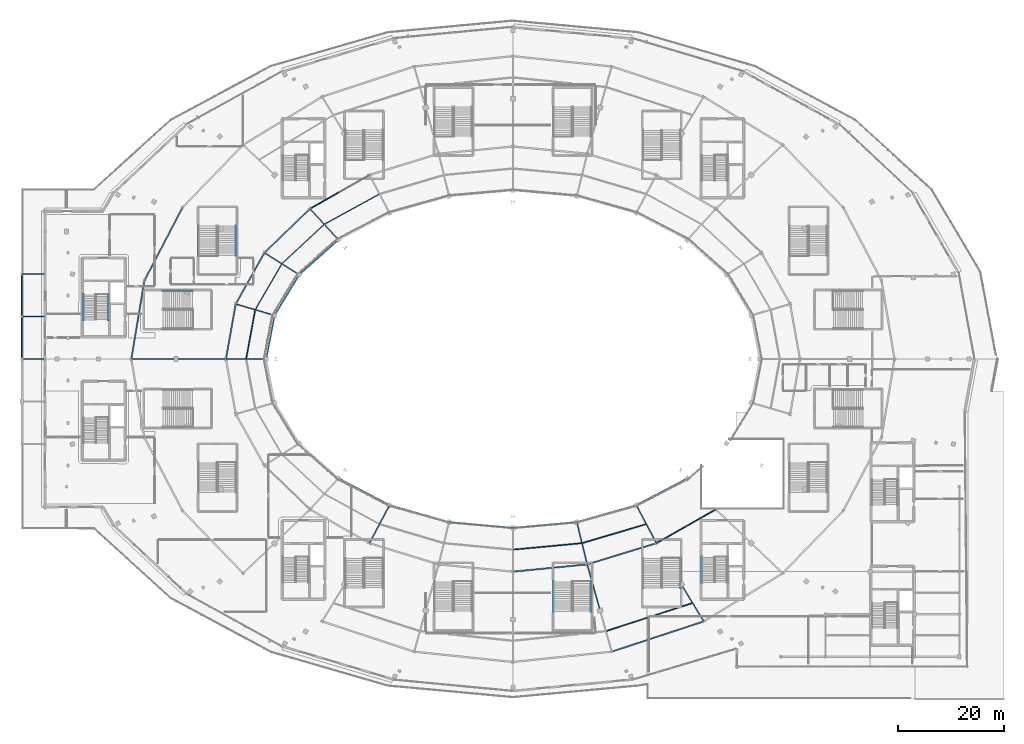
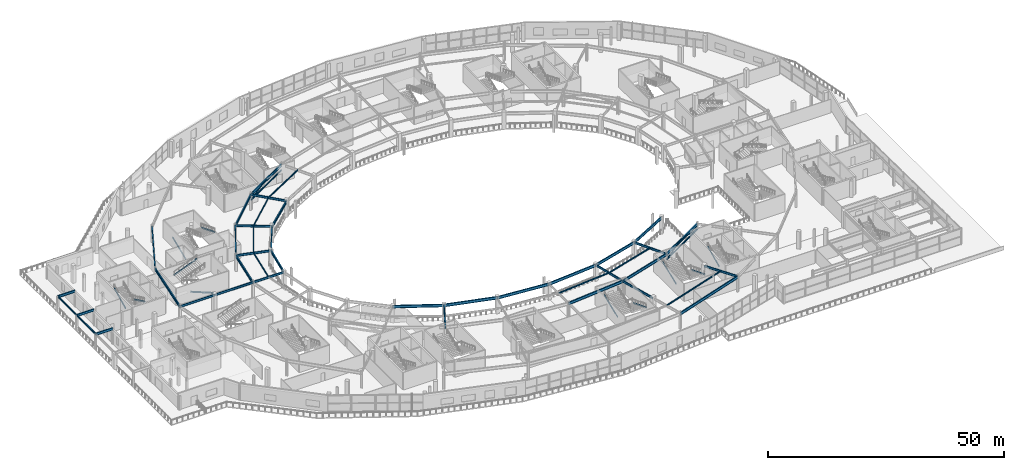
# One storey, part 27 of 107: 44 beams, 14 members.
"""IFC4 building model written with IfcOpenShell, lengths in metres."""

from ifc_helpers import new_model, si_unit, direction, frame, origin, origin_2d, place, context, subcontext, project, spatial, hollow_circle, i_section, extrude, material, material_profile, profile_set, type_object, element, save


model = new_model("IFC4")

# Units and contexts
model_context = context("Model", 3, precision=1e-05, world=origin(), true_north=direction((0.0, 1.0)))
body_context = subcontext(model_context, "Body", "Model", "MODEL_VIEW")
ifc_project = project(units=[si_unit("LENGTHUNIT", "METRE"), si_unit("AREAUNIT", "SQUARE_METRE"), si_unit("VOLUMEUNIT", "CUBIC_METRE"), si_unit("PLANEANGLEUNIT", "RADIAN"), si_unit("MASSUNIT", "GRAM", prefix="KILO")], contexts=[model_context])

# Site, building, storey
site_placement = place(None, origin())
site = spatial("IfcSite", under=ifc_project, at=site_placement, CompositionType="ELEMENT")
building_placement = place(site_placement, origin())
building = spatial("IfcBuilding", under=site, at=building_placement, Name="Kalgoora Escarpment Arena", CompositionType="ELEMENT")
storey_placement = place(building_placement, frame((0.0, 0.0, 5.39990234375)))
storey = spatial("IfcBuildingStorey", under=building, at=storey_placement, Name="L01", CompositionType="ELEMENT", Elevation=5.39990234375)

# Beams
ifc_material_1 = material(Name="Structural steel AS/NZS 3679 (300 MPa)", Category="steel")
ifc_material_profile_1 = material_profile(ifc_material_1, i_section(OverallWidth=0.1708984375, OverallDepth=0.35205078125, WebThickness=0.0068359375, FlangeThickness=0.009765625, at=origin_2d()))
ifc_profile_set_1 = profile_set([ifc_material_profile_1], Name="Structural steel AS/NZS 3679 (300 MPa)")
beam_type_1 = type_object("IfcBeamType", Name="BM-BEAM-360UB44.7", PredefinedType="BEAM", material=ifc_profile_set_1)
beam_1_placement = place(storey_placement, frame((67.297607421875, 95.0556640625, 4.05419921875), z_axis=(-0.87693223227, -0.480614044744, 0.0), x_axis=(0.480614044744, -0.87693223227, 0.0)))
element("IfcBeam", 1, at=beam_1_placement, inside=storey, type_object=beam_type_1, Name="L01 Concourse secondary ring beam 360UB44.7", PredefinedType="BEAM", context=body_context, shape_type="SweptSolid", body=[
    extrude(i_section(OverallWidth=0.1708984375, OverallDepth=0.35205078125, WebThickness=0.0068359375, FlangeThickness=0.009765625, at=origin_2d()), origin(), (0.0, 0.0, 1.0), 11.857177734375),
])
beam_2_placement = place(storey_placement, frame((56.899658203125, 89.35693359375, 4.05419921875), z_axis=(-0.731952134081, -0.681356054801, 0.0), x_axis=(0.681356054801, -0.731952134081, 0.0)))
element("IfcBeam", 2, at=beam_2_placement, inside=storey, type_object=beam_type_1, Name="L01 Concourse secondary ring beam 360UB44.7", PredefinedType="BEAM", context=body_context, shape_type="SweptSolid", body=[
    extrude(i_section(OverallWidth=0.1708984375, OverallDepth=0.35205078125, WebThickness=0.0068359375, FlangeThickness=0.009765625, at=origin_2d()), origin(), (0.0, 0.0, 1.0), 10.900390625),
])
beam_3_placement = place(storey_placement, frame((48.921142578125, 81.929931640625, 4.05419921875), z_axis=(-0.501654133754, -0.865068280593, 0.0), x_axis=(0.865068280593, -0.501654133754, 0.0)))
element("IfcBeam", 3, at=beam_3_placement, inside=storey, type_object=beam_type_1, Name="L01 Concourse secondary ring beam 360UB44.7", PredefinedType="BEAM", context=body_context, shape_type="SweptSolid", body=[
    extrude(i_section(OverallWidth=0.1708984375, OverallDepth=0.35205078125, WebThickness=0.0068359375, FlangeThickness=0.009765625, at=origin_2d()), origin(), (0.0, 0.0, 1.0), 9.997802734375),
])
beam_4_placement = place(storey_placement, frame((43.90576171875, 73.28125, 4.05419921875), z_axis=(-0.181263825147, -0.983434505035, 0.0), x_axis=(0.983434505035, -0.181263825147, 0.0)))
element("IfcBeam", 4, at=beam_4_placement, inside=storey, type_object=beam_type_1, Name="L01 Concourse secondary ring beam 360UB44.7", PredefinedType="BEAM", context=body_context, shape_type="SweptSolid", body=[
    extrude(i_section(OverallWidth=0.1708984375, OverallDepth=0.35205078125, WebThickness=0.0068359375, FlangeThickness=0.009765625, at=origin_2d()), origin(), (0.0, 0.0, 1.0), 9.4375),
])
beam_5_placement = place(storey_placement, frame((92.39990234375, 28.139892578125, 4.024169921875), z_axis=(0.995605931387, 0.093642027892, 0.0), x_axis=(-0.093642027892, 0.995605931387, 0.0)))
element("IfcBeam", 5, at=beam_5_placement, inside=storey, type_object=beam_type_1, Name="L01 Concourse secondary ring beam 360UB44.7", PredefinedType="BEAM", context=body_context, shape_type="SweptSolid", body=[
    extrude(i_section(OverallWidth=0.1708984375, OverallDepth=0.35205078125, WebThickness=0.0068359375, FlangeThickness=0.009765625, at=origin_2d()), origin(), (0.0, 0.0, 1.0), 13.051513671875),
])
beam_6_placement = place(storey_placement, frame((105.39404296875, 29.362060546875, 4.024169921875), z_axis=(0.958914478104, 0.283695300775, 0.0), x_axis=(-0.283695300775, 0.958914478104, 0.0)))
element("IfcBeam", 6, at=beam_6_placement, inside=storey, type_object=beam_type_1, Name="L01 Concourse secondary ring beam 360UB44.7", PredefinedType="BEAM", context=body_context, shape_type="SweptSolid", body=[
    extrude(i_section(OverallWidth=0.1708984375, OverallDepth=0.35205078125, WebThickness=0.0068359375, FlangeThickness=0.009765625, at=origin_2d()), origin(), (0.0, 0.0, 1.0), 12.627197265625),
])
beam_7_placement = place(storey_placement, frame((109.896240234375, 12.805908203125, 4.024169921875), z_axis=(0.951103123122, 0.308873516489, 0.0), x_axis=(-0.308873516489, 0.951103123122, 0.0)))
element("IfcBeam", 7, at=beam_7_placement, inside=storey, type_object=beam_type_1, Name="L01 Concourse secondary ring beam 360UB44.7", PredefinedType="BEAM", context=body_context, shape_type="SweptSolid", body=[
    extrude(i_section(OverallWidth=0.1708984375, OverallDepth=0.35205078125, WebThickness=0.0068359375, FlangeThickness=0.009765625, at=origin_2d()), origin(), (0.0, 0.0, 1.0), 17.141845703125),
])
beam_8_placement = place(storey_placement, frame((65.39990234375, 98.64111328125, 2.524169921875), z_axis=(-0.869369098708, -0.494163303182, 0.0), x_axis=(0.494163303182, -0.869369098708, 0.0)))
element("IfcBeam", 8, at=beam_8_placement, inside=storey, type_object=beam_type_1, Name="L01 Portal brace collector beam 360UB44.7", PredefinedType="BEAM", context=body_context, shape_type="SweptSolid", body=[
    extrude(i_section(OverallWidth=0.1708984375, OverallDepth=0.35205078125, WebThickness=0.0068359375, FlangeThickness=0.009765625, at=origin_2d()), origin(), (0.0, 0.0, 1.0), 12.864013671875),
])
beam_9_placement = place(storey_placement, frame((119.39990234375, 29.35888671875, 2.524169921875), z_axis=(0.869373733104, 0.494155149917, 0.0), x_axis=(-0.494155149917, 0.869373733104, 0.0)))
element("IfcBeam", 9, at=beam_9_placement, inside=storey, type_object=beam_type_1, Name="L01 Portal brace collector beam 360UB44.7", PredefinedType="BEAM", context=body_context, shape_type="SweptSolid", body=[
    extrude(i_section(OverallWidth=0.1708984375, OverallDepth=0.35205078125, WebThickness=0.0068359375, FlangeThickness=0.009765625, at=origin_2d()), origin(), (0.0, 0.0, 1.0), 12.8642578125),
])
ifc_material_2 = material(Name="Structural steel AS/NZS 3679 (300 MPa)", Category="steel")
ifc_material_profile_2 = material_profile(ifc_material_2, i_section(OverallWidth=0.208984375, OverallDepth=0.532958984375, WebThickness=0.01025390625, FlangeThickness=0.015625, at=origin_2d()))
ifc_profile_set_2 = profile_set([ifc_material_profile_2], Name="Structural steel AS/NZS 3679 (300 MPa)")
beam_type_2 = type_object("IfcBeamType", Name="BM-GIRDER-530UB92.4", PredefinedType="USERDEFINED", material=ifc_profile_set_2)
beam_10_placement = place(storey_placement, frame((59.583251953125, 86.429443359375, 3.963623046875), z_axis=(-0.675731588221, 0.737147760412, 0.0), x_axis=(-0.737147760412, -0.675731588221, 0.0)))
element("IfcBeam", 10, at=beam_10_placement, inside=storey, type_object=beam_type_2, Name="L01 Radial concourse girder 530UB92.4", ObjectType="GIRDER", PredefinedType="USERDEFINED", context=body_context, shape_type="SweptSolid", body=[
    extrude(i_section(OverallWidth=0.208984375, OverallDepth=0.532958984375, WebThickness=0.01025390625, FlangeThickness=0.015625, at=origin_2d()), origin(), (0.0, 0.0, 1.0), 7.9423828125),
])
beam_11_placement = place(storey_placement, frame((52.207763671875, 79.860107421875, 3.963623046875), z_axis=(-0.846164080711, 0.532922460133, 0.0), x_axis=(-0.532922460133, -0.846164080711, 0.0)))
element("IfcBeam", 11, at=beam_11_placement, inside=storey, type_object=beam_type_2, Name="L01 Radial concourse girder 530UB92.4", ObjectType="GIRDER", PredefinedType="USERDEFINED", context=body_context, shape_type="SweptSolid", body=[
    extrude(i_section(OverallWidth=0.208984375, OverallDepth=0.532958984375, WebThickness=0.01025390625, FlangeThickness=0.015625, at=origin_2d()), origin(), (0.0, 0.0, 1.0), 7.768310546875),
])
beam_12_placement = place(storey_placement, frame((47.5712890625, 72.209716796875, 3.963623046875), z_axis=(-0.959831929539, 0.280575599504, 0.0), x_axis=(-0.280575599504, -0.959831929539, 0.0)))
element("IfcBeam", 12, at=beam_12_placement, inside=storey, type_object=beam_type_2, Name="L01 Radial concourse girder 530UB92.4", ObjectType="GIRDER", PredefinedType="USERDEFINED", context=body_context, shape_type="SweptSolid", body=[
    extrude(i_section(OverallWidth=0.208984375, OverallDepth=0.532958984375, WebThickness=0.01025390625, FlangeThickness=0.015625, at=origin_2d()), origin(), (0.0, 0.0, 1.0), 7.63818359375),
])
beam_13_placement = place(storey_placement, frame((45.989990234375, 64.0, 3.963623046875), z_axis=(-1.0, 0.0, 0.0), x_axis=(0.0, -1.0, 0.0)))
element("IfcBeam", 13, at=beam_13_placement, inside=storey, type_object=beam_type_2, Name="L01 Radial concourse girder 530UB92.4", ObjectType="GIRDER", PredefinedType="USERDEFINED", context=body_context, shape_type="SweptSolid", body=[
    extrude(i_section(OverallWidth=0.208984375, OverallDepth=0.532958984375, WebThickness=0.01025390625, FlangeThickness=0.015625, at=origin_2d()), origin(), (0.0, 0.0, 1.0), 7.590087890625),
])
beam_14_placement = place(storey_placement, frame((38.39990234375, 64.0, 3.963623046875), z_axis=(-1.0, 0.0, 0.0), x_axis=(0.0, -1.0, 0.0)))
element("IfcBeam", 14, at=beam_14_placement, inside=storey, type_object=beam_type_2, Name="L01 Radial concourse girder 530UB92.4", ObjectType="GIRDER", PredefinedType="USERDEFINED", context=body_context, shape_type="SweptSolid", body=[
    extrude(i_section(OverallWidth=0.208984375, OverallDepth=0.532958984375, WebThickness=0.01025390625, FlangeThickness=0.015625, at=origin_2d()), origin(), (0.0, 0.0, 1.0), 9.39990234375),
])
beam_15_placement = place(storey_placement, frame((29.0, 64.0, 3.963623046875), z_axis=(-1.0, 0.0, 0.0), x_axis=(0.0, -1.0, 0.0)))
element("IfcBeam", 15, at=beam_15_placement, inside=storey, type_object=beam_type_2, Name="L01 Radial concourse girder 530UB92.4", ObjectType="GIRDER", PredefinedType="USERDEFINED", context=body_context, shape_type="SweptSolid", body=[
    extrude(i_section(OverallWidth=0.208984375, OverallDepth=0.532958984375, WebThickness=0.01025390625, FlangeThickness=0.015625, at=origin_2d()), origin(), (0.0, 0.0, 1.0), 8.39990234375),
])
beam_16_placement = place(storey_placement, frame((69.195068359375, 36.52978515625, 3.9736328125), z_axis=(-0.467772961987, -0.883848661273, 0.0), x_axis=(0.883848661273, -0.467772961987, 0.0)))
element("IfcBeam", 16, at=beam_16_placement, inside=storey, type_object=beam_type_2, Name="L01 Radial concourse girder 530UB92.4", ObjectType="GIRDER", PredefinedType="USERDEFINED", context=body_context, shape_type="SweptSolid", body=[
    extrude(i_section(OverallWidth=0.208984375, OverallDepth=0.532958984375, WebThickness=0.01025390625, FlangeThickness=0.015625, at=origin_2d()), origin(), (0.0, 0.0, 1.0), 8.11328125),
])
beam_17_placement = place(storey_placement, frame((104.411865234375, 33.36083984375, 3.93359375), z_axis=(0.238522773309, -0.971136904156, 0.0), x_axis=(0.971136904156, 0.238522773309, 0.0)))
element("IfcBeam", 17, at=beam_17_placement, inside=storey, type_object=beam_type_2, Name="L01 Radial concourse girder 530UB92.4", ObjectType="GIRDER", PredefinedType="USERDEFINED", context=body_context, shape_type="SweptSolid", body=[
    extrude(i_section(OverallWidth=0.208984375, OverallDepth=0.532958984375, WebThickness=0.01025390625, FlangeThickness=0.015625, at=origin_2d()), origin(), (0.0, 0.0, 1.0), 8.235595703125),
])
beam_18_placement = place(storey_placement, frame((106.376220703125, 25.363037109375, 3.93359375), z_axis=(0.269498512386, -0.963000805722, 0.0), x_axis=(0.963000805722, 0.269498512386, 0.0)))
element("IfcBeam", 18, at=beam_18_placement, inside=storey, type_object=beam_type_2, Name="L01 Radial concourse girder 530UB92.4", ObjectType="GIRDER", PredefinedType="USERDEFINED", context=body_context, shape_type="SweptSolid", body=[
    extrude(i_section(OverallWidth=0.208984375, OverallDepth=0.532958984375, WebThickness=0.01025390625, FlangeThickness=0.015625, at=origin_2d()), origin(), (0.0, 0.0, 1.0), 9.02734375),
])
beam_19_placement = place(storey_placement, frame((115.60498046875, 36.52978515625, 3.93359375), z_axis=(0.467749454329, -0.883861102196, 0.0), x_axis=(0.883861102196, 0.467749454329, 0.0)))
element("IfcBeam", 19, at=beam_19_placement, inside=storey, type_object=beam_type_2, Name="L01 Radial concourse girder 530UB92.4", ObjectType="GIRDER", PredefinedType="USERDEFINED", context=body_context, shape_type="SweptSolid", body=[
    extrude(i_section(OverallWidth=0.208984375, OverallDepth=0.532958984375, WebThickness=0.01025390625, FlangeThickness=0.015625, at=origin_2d()), origin(), (0.0, 0.0, 1.0), 8.113037109375),
])
beam_20_placement = place(storey_placement, frame((124.10009765625, 21.564697265625, 3.93359375), z_axis=(0.518407902139, -0.85513346736, 0.0), x_axis=(0.85513346736, 0.518407902139, 0.0)))
element("IfcBeam", 20, at=beam_20_placement, inside=storey, type_object=beam_type_2, Name="L01 Radial concourse girder 530UB92.4", ObjectType="GIRDER", PredefinedType="USERDEFINED", context=body_context, shape_type="SweptSolid", body=[
    extrude(i_section(OverallWidth=0.208984375, OverallDepth=0.532958984375, WebThickness=0.01025390625, FlangeThickness=0.015625, at=origin_2d()), origin(), (0.0, 0.0, 1.0), 8.1015625),
])
ifc_material_3 = material(Name="Structural steel AS/NZS 3679 (300 MPa)", Category="steel")
ifc_material_profile_3 = material_profile(ifc_material_3, i_section(OverallWidth=0.22900390625, OverallDepth=0.612060546875, WebThickness=0.011962890625, FlangeThickness=0.01953125, at=origin_2d()))
ifc_profile_set_3 = profile_set([ifc_material_profile_3], Name="Structural steel AS/NZS 3679 (300 MPa)")
beam_type_3 = type_object("IfcBeamType", Name="BM-GIRDER-610UB125", PredefinedType="USERDEFINED", material=ifc_profile_set_3)
for number, where, z_axis, x_axis, name in (
    (21, (0.0, 64.0, 4.004150390625), (1.0, 0.0, 0.0), (0.0, 1.0, 0.0), "L01 Entrance canopy girder 610UB125"),
    (22, (0.0, 72.0, 4.004150390625), (1.0, 0.0, 0.0), (0.0, 1.0, 0.0), "L01 Entrance canopy girder 610UB125"),
    (23, (0.0, 80.0, 4.004150390625), (1.0, 0.0, 0.0), (0.0, 1.0, 0.0), "L01 Entrance canopy girder 610UB125"),
):
    element("IfcBeam", number, at=place(storey_placement, frame(where, z_axis=z_axis, x_axis=x_axis)), inside=storey, type_object=beam_type_3, Name=name, ObjectType="GIRDER", PredefinedType="USERDEFINED", context=body_context, shape_type="SweptSolid", body=[
        extrude(i_section(OverallWidth=0.22900390625, OverallDepth=0.612060546875, WebThickness=0.011962890625, FlangeThickness=0.01953125, at=origin_2d()), origin(), (0.0, 0.0, 1.0), 4.199951171875),
    ])
ifc_material_4 = material(Name="Structural steel AS/NZS 3679 (300 MPa)", Category="steel")
ifc_material_profile_4 = material_profile(ifc_material_4, i_section(OverallWidth=0.25, OverallDepth=0.699951171875, WebThickness=0.010009765625, FlangeThickness=0.02001953125, at=origin_2d()))
ifc_profile_set_4 = profile_set([ifc_material_profile_4], Name="Structural steel AS/NZS 3679 (300 MPa)")
beam_type_4 = type_object("IfcBeamType", Name="BM-GIRDER-700WB130", PredefinedType="USERDEFINED", material=ifc_profile_set_4)
beam_21_placement = place(storey_placement, frame((65.39990234375, 98.64111328125, 3.880126953125), z_axis=(-0.869369098708, -0.494163303182, 0.0), x_axis=(0.494163303182, -0.869369098708, 0.0)))
element("IfcBeam", 24, at=beam_21_placement, inside=storey, type_object=beam_type_4, Name="L01 Circumferential concourse girder RMAIN 700WB130", ObjectType="GIRDER", PredefinedType="USERDEFINED", context=body_context, shape_type="SweptSolid", body=[
    extrude(i_section(OverallWidth=0.25, OverallDepth=0.699951171875, WebThickness=0.010009765625, FlangeThickness=0.02001953125, at=origin_2d()), origin(), (0.0, 0.0, 1.0), 12.864013671875),
])
beam_22_placement = place(storey_placement, frame((59.583251953125, 86.429443359375, 3.880126953125), z_axis=(-0.746737965203, -0.665118343849, 0.0), x_axis=(0.665118343849, -0.746737965203, 0.0)))
element("IfcBeam", 25, at=beam_22_placement, inside=storey, type_object=beam_type_4, Name="L01 Circumferential concourse girder RMID 700WB130", ObjectType="GIRDER", PredefinedType="USERDEFINED", context=body_context, shape_type="SweptSolid", body=[
    extrude(i_section(OverallWidth=0.25, OverallDepth=0.699951171875, WebThickness=0.010009765625, FlangeThickness=0.02001953125, at=origin_2d()), origin(), (0.0, 0.0, 1.0), 9.876953125),
])
beam_23_placement = place(storey_placement, frame((54.21630859375, 92.2841796875, 3.880126953125), z_axis=(-0.719471992915, -0.694521454968, 0.0), x_axis=(0.694521454968, -0.719471992915, 0.0)))
element("IfcBeam", 26, at=beam_23_placement, inside=storey, type_object=beam_type_4, Name="L01 Circumferential concourse girder RMAIN 700WB130", ObjectType="GIRDER", PredefinedType="USERDEFINED", context=body_context, shape_type="SweptSolid", body=[
    extrude(i_section(OverallWidth=0.25, OverallDepth=0.699951171875, WebThickness=0.010009765625, FlangeThickness=0.02001953125, at=origin_2d()), origin(), (0.0, 0.0, 1.0), 11.927978515625),
])
beam_24_placement = place(storey_placement, frame((52.207763671875, 79.860107421875, 3.880126953125), z_axis=(-0.518291433659, -0.855204063248, 0.0), x_axis=(0.855204063248, -0.518291433659, 0.0)))
element("IfcBeam", 27, at=beam_24_placement, inside=storey, type_object=beam_type_4, Name="L01 Circumferential concourse girder RMID 700WB130", ObjectType="GIRDER", PredefinedType="USERDEFINED", context=body_context, shape_type="SweptSolid", body=[
    extrude(i_section(OverallWidth=0.25, OverallDepth=0.699951171875, WebThickness=0.010009765625, FlangeThickness=0.02001953125, at=origin_2d()), origin(), (0.0, 0.0, 1.0), 8.94580078125),
])
beam_25_placement = place(storey_placement, frame((45.634521484375, 84.0, 3.880126953125), z_axis=(-0.488058469962, -0.872810935941, 0.0), x_axis=(0.872810935941, -0.488058469962, 0.0)))
element("IfcBeam", 28, at=beam_25_placement, inside=storey, type_object=beam_type_4, Name="L01 Circumferential concourse girder RMAIN 700WB130", ObjectType="GIRDER", PredefinedType="USERDEFINED", context=body_context, shape_type="SweptSolid", body=[
    extrude(i_section(OverallWidth=0.25, OverallDepth=0.699951171875, WebThickness=0.010009765625, FlangeThickness=0.02001953125, at=origin_2d()), origin(), (0.0, 0.0, 1.0), 11.052978515625),
])
beam_26_placement = place(storey_placement, frame((47.5712890625, 72.209716796875, 3.880126953125), z_axis=(-0.189136565421, -0.981950792871, 0.0), x_axis=(0.981950792871, -0.189136565421, 0.0)))
element("IfcBeam", 29, at=beam_26_placement, inside=storey, type_object=beam_type_4, Name="L01 Circumferential concourse girder RMID 700WB130", ObjectType="GIRDER", PredefinedType="USERDEFINED", context=body_context, shape_type="SweptSolid", body=[
    extrude(i_section(OverallWidth=0.25, OverallDepth=0.699951171875, WebThickness=0.010009765625, FlangeThickness=0.02001953125, at=origin_2d()), origin(), (0.0, 0.0, 1.0), 8.360595703125),
])
beam_27_placement = place(storey_placement, frame((40.239990234375, 74.352783203125, 3.880126953125), z_axis=(-0.174995823084, -0.984569175784, 0.0), x_axis=(0.984569175784, -0.174995823084, 0.0)))
element("IfcBeam", 30, at=beam_27_placement, inside=storey, type_object=beam_type_4, Name="L01 Circumferential concourse girder RMAIN 700WB130", ObjectType="GIRDER", PredefinedType="USERDEFINED", context=body_context, shape_type="SweptSolid", body=[
    extrude(i_section(OverallWidth=0.25, OverallDepth=0.699951171875, WebThickness=0.010009765625, FlangeThickness=0.02001953125, at=origin_2d()), origin(), (0.0, 0.0, 1.0), 10.51513671875),
])
beam_28_placement = place(storey_placement, frame((59.583251953125, 41.570556640625, 3.89013671875), z_axis=(0.88560380316, -0.464441496669, 0.0), x_axis=(0.464441496669, 0.88560380316, 0.0)))
element("IfcBeam", 31, at=beam_28_placement, inside=storey, type_object=beam_type_4, Name="L01 Circumferential concourse girder RMID 700WB130", ObjectType="GIRDER", PredefinedType="USERDEFINED", context=body_context, shape_type="SweptSolid", body=[
    extrude(i_section(OverallWidth=0.25, OverallDepth=0.699951171875, WebThickness=0.010009765625, FlangeThickness=0.02001953125, at=origin_2d()), origin(), (0.0, 0.0, 1.0), 10.853515625),
])
beam_29_placement = place(storey_placement, frame((69.195068359375, 36.52978515625, 3.89013671875), z_axis=(0.962181658824, -0.272408618482, 0.0), x_axis=(0.272408618482, 0.962181658824, 0.0)))
element("IfcBeam", 32, at=beam_29_placement, inside=storey, type_object=beam_type_4, Name="L01 Circumferential concourse girder RMID 700WB130", ObjectType="GIRDER", PredefinedType="USERDEFINED", context=body_context, shape_type="SweptSolid", body=[
    extrude(i_section(OverallWidth=0.25, OverallDepth=0.699951171875, WebThickness=0.010009765625, FlangeThickness=0.02001953125, at=origin_2d()), origin(), (0.0, 0.0, 1.0), 11.633056640625),
])
beam_30_placement = place(storey_placement, frame((80.38818359375, 33.36083984375, 3.85009765625), z_axis=(0.99597624591, -0.089617618712, 0.0), x_axis=(0.089617618712, 0.99597624591, 0.0)))
element("IfcBeam", 33, at=beam_30_placement, inside=storey, type_object=beam_type_4, Name="L01 Circumferential concourse girder RMID 700WB130", ObjectType="GIRDER", PredefinedType="USERDEFINED", context=body_context, shape_type="SweptSolid", body=[
    extrude(i_section(OverallWidth=0.25, OverallDepth=0.699951171875, WebThickness=0.010009765625, FlangeThickness=0.02001953125, at=origin_2d()), origin(), (0.0, 0.0, 1.0), 12.060302734375),
])
beam_31_placement = place(storey_placement, frame((92.39990234375, 32.280029296875, 3.85009765625), z_axis=(0.995976408486, 0.089615811881, 0.0), x_axis=(-0.089615811881, 0.995976408486, 0.0)))
element("IfcBeam", 34, at=beam_31_placement, inside=storey, type_object=beam_type_4, Name="L01 Circumferential concourse girder RMID 700WB130", ObjectType="GIRDER", PredefinedType="USERDEFINED", context=body_context, shape_type="SweptSolid", body=[
    extrude(i_section(OverallWidth=0.25, OverallDepth=0.699951171875, WebThickness=0.010009765625, FlangeThickness=0.02001953125, at=origin_2d()), origin(), (0.0, 0.0, 1.0), 12.060546875),
])
beam_32_placement = place(storey_placement, frame((92.39990234375, 24.0, 3.85009765625), z_axis=(0.995278116569, 0.097064260569, 0.0), x_axis=(-0.097064260569, 0.995278116569, 0.0)))
element("IfcBeam", 35, at=beam_32_placement, inside=storey, type_object=beam_type_4, Name="L01 Circumferential concourse girder RMAIN 700WB130", ObjectType="GIRDER", PredefinedType="USERDEFINED", context=body_context, shape_type="SweptSolid", body=[
    extrude(i_section(OverallWidth=0.25, OverallDepth=0.699951171875, WebThickness=0.010009765625, FlangeThickness=0.02001953125, at=origin_2d()), origin(), (0.0, 0.0, 1.0), 14.042724609375),
])
beam_33_placement = place(storey_placement, frame((104.411865234375, 33.36083984375, 3.85009765625), z_axis=(0.962181658824, 0.272408618482, 0.0), x_axis=(-0.272408618482, 0.962181658824, 0.0)))
element("IfcBeam", 36, at=beam_33_placement, inside=storey, type_object=beam_type_4, Name="L01 Circumferential concourse girder RMID 700WB130", ObjectType="GIRDER", PredefinedType="USERDEFINED", context=body_context, shape_type="SweptSolid", body=[
    extrude(i_section(OverallWidth=0.25, OverallDepth=0.699951171875, WebThickness=0.010009765625, FlangeThickness=0.02001953125, at=origin_2d()), origin(), (0.0, 0.0, 1.0), 11.633056640625),
])
beam_34_placement = place(storey_placement, frame((106.376220703125, 25.363037109375, 3.85009765625), z_axis=(0.956014681671, 0.293318817038, 0.0), x_axis=(-0.293318817038, 0.956014681671, 0.0)))
element("IfcBeam", 37, at=beam_34_placement, inside=storey, type_object=beam_type_4, Name="L01 Circumferential concourse girder RMAIN 700WB130", ObjectType="GIRDER", PredefinedType="USERDEFINED", context=body_context, shape_type="SweptSolid", body=[
    extrude(i_section(OverallWidth=0.25, OverallDepth=0.699951171875, WebThickness=0.010009765625, FlangeThickness=0.02001953125, at=origin_2d()), origin(), (0.0, 0.0, 1.0), 13.622802734375),
])
beam_35_placement = place(storey_placement, frame((115.60498046875, 36.52978515625, 3.85009765625), z_axis=(0.88560380316, 0.464441496669, 0.0), x_axis=(-0.464441496669, 0.88560380316, 0.0)))
element("IfcBeam", 38, at=beam_35_placement, inside=storey, type_object=beam_type_4, Name="L01 Circumferential concourse girder RMID 700WB130", ObjectType="GIRDER", PredefinedType="USERDEFINED", context=body_context, shape_type="SweptSolid", body=[
    extrude(i_section(OverallWidth=0.25, OverallDepth=0.699951171875, WebThickness=0.010009765625, FlangeThickness=0.02001953125, at=origin_2d()), origin(), (0.0, 0.0, 1.0), 10.853515625),
])
beam_36_placement = place(storey_placement, frame((119.39990234375, 29.35888671875, 3.85009765625), z_axis=(0.869373733104, 0.494155149917, 0.0), x_axis=(-0.494155149917, 0.869373733104, 0.0)))
element("IfcBeam", 39, at=beam_36_placement, inside=storey, type_object=beam_type_4, Name="L01 Circumferential concourse girder RMAIN 700WB130", ObjectType="GIRDER", PredefinedType="USERDEFINED", context=body_context, shape_type="SweptSolid", body=[
    extrude(i_section(OverallWidth=0.25, OverallDepth=0.699951171875, WebThickness=0.010009765625, FlangeThickness=0.02001953125, at=origin_2d()), origin(), (0.0, 0.0, 1.0), 12.8642578125),
])
ifc_material_5 = material(Name="Structural steel AS/NZS 3679 (300 MPa)", Category="steel")
ifc_material_profile_5 = material_profile(ifc_material_5, i_section(OverallWidth=0.19091796875, OverallDepth=0.4599609375, WebThickness=0.010009765625, FlangeThickness=0.01611328125, at=origin_2d()))
ifc_profile_set_5 = profile_set([ifc_material_profile_5], Name="Structural steel AS/NZS 3679 (300 MPa)")
beam_type_5 = type_object("IfcBeamType", Name="BM-SPANDREL-460UB82.1", PredefinedType="SPANDREL", material=ifc_profile_set_5)
for number, where, z_axis, x_axis, name in (
    (40, (0.0, 64.0, 4.080078125), (0.0, 1.0, 0.0), (-1.0, 0.0, 0.0), "L01 Entrance canopy spandrel 460UB82.1"),
    (41, (0.0, 72.0, 4.080078125), (0.0, 1.0, 0.0), (-1.0, 0.0, 0.0), "L01 Entrance canopy spandrel 460UB82.1"),
):
    element("IfcBeam", number, at=place(storey_placement, frame(where, z_axis=z_axis, x_axis=x_axis)), inside=storey, type_object=beam_type_5, Name=name, PredefinedType="SPANDREL", context=body_context, shape_type="SweptSolid", body=[
        extrude(i_section(OverallWidth=0.19091796875, OverallDepth=0.4599609375, WebThickness=0.010009765625, FlangeThickness=0.01611328125, at=origin_2d()), origin(), (0.0, 0.0, 1.0), 8.0),
    ])
ifc_material_6 = material(Name="Structural steel AS/NZS 3679 (300 MPa)", Category="steel")
ifc_material_profile_6 = material_profile(ifc_material_6, i_section(OverallWidth=0.25, OverallDepth=0.699951171875, WebThickness=0.010009765625, FlangeThickness=0.02001953125, at=origin_2d()))
ifc_profile_set_6 = profile_set([ifc_material_profile_6], Name="Structural steel AS/NZS 3679 (300 MPa)")
beam_type_6 = type_object("IfcBeamType", Name="BM-SPANDREL-700WB130", PredefinedType="SPANDREL", material=ifc_profile_set_6)
beam_37_placement = place(storey_placement, frame((30.219482421875, 92.5, 3.880126953125), z_axis=(-0.462595600895, -0.886569405085, 0.0), x_axis=(0.886569405085, -0.462595600895, 0.0)))
element("IfcBeam", 42, at=beam_37_placement, inside=storey, type_object=beam_type_6, Name="L01 Circumferential concourse girder RCONC2 700WB130", PredefinedType="SPANDREL", context=body_context, shape_type="SweptSolid", body=[
    extrude(i_section(OverallWidth=0.25, OverallDepth=0.699951171875, WebThickness=0.010009765625, FlangeThickness=0.02001953125, at=origin_2d()), origin(), (0.0, 0.0, 1.0), 15.506103515625),
])
beam_38_placement = place(storey_placement, frame((23.04638671875, 78.752685546875, 3.880126953125), z_axis=(-0.163586163215, -0.98652905036, 0.0), x_axis=(0.98652905036, -0.163586163215, 0.0)))
element("IfcBeam", 43, at=beam_38_placement, inside=storey, type_object=beam_type_6, Name="L01 Circumferential concourse girder RCONC2 700WB130", PredefinedType="SPANDREL", context=body_context, shape_type="SweptSolid", body=[
    extrude(i_section(OverallWidth=0.25, OverallDepth=0.699951171875, WebThickness=0.010009765625, FlangeThickness=0.02001953125, at=origin_2d()), origin(), (0.0, 0.0, 1.0), 14.9541015625),
])
beam_39_placement = place(storey_placement, frame((110.983154296875, 8.942138671875, 3.85009765625), z_axis=(0.949954555117, 0.312388129115, 0.0), x_axis=(-0.312388129115, 0.949954555117, 0.0)))
element("IfcBeam", 44, at=beam_39_placement, inside=storey, type_object=beam_type_6, Name="L01 Circumferential concourse girder RCONC2 700WB130", PredefinedType="SPANDREL", context=body_context, shape_type="SweptSolid", body=[
    extrude(i_section(OverallWidth=0.25, OverallDepth=0.699951171875, WebThickness=0.010009765625, FlangeThickness=0.02001953125, at=origin_2d()), origin(), (0.0, 0.0, 1.0), 18.229248046875),
])

# Members
ifc_material_7 = material(Name="Structural steel C350 (350 MPa)", Category="steel")
ifc_material_profile_7 = material_profile(ifc_material_7, hollow_circle(Radius=0.136474609375, WallThickness=0.00927734375, at=origin_2d()))
ifc_profile_set_7 = profile_set([ifc_material_profile_7], Name="Structural steel C350 (350 MPa)")
member_type_1 = type_object("IfcMemberType", Name="MEM-BRACE-CHS273", PredefinedType="BRACE", material=ifc_profile_set_7)
member_1_placement = place(storey_placement, frame((54.21630859375, 92.2841796875, 2.52001953125), z_axis=(0.845769222656, 0.480748756102, 0.231419652392), x_axis=(-0.494163303182, 0.869369098708, 0.0)))
element("IfcMember", 45, at=member_1_placement, inside=storey, type_object=member_type_1, Name="L01 concentric lateral brace R09-2", PredefinedType="BRACE", context=body_context, shape_type="SweptSolid", body=[
    extrude(hollow_circle(Radius=0.136474609375, WallThickness=0.00927734375, at=origin_2d()), origin(), (0.0, 0.0, 1.0), 6.611572265625),
])
member_2_placement = place(storey_placement, frame((119.39990234375, 29.35888671875, 2.52001953125), z_axis=(0.845779734252, 0.480733741988, 0.231412424997), x_axis=(-0.494146996878, 0.86937836727, 0.0)))
element("IfcMember", 46, at=member_2_placement, inside=storey, type_object=member_type_1, Name="L01 concentric lateral brace R21-1", PredefinedType="BRACE", context=body_context, shape_type="SweptSolid", body=[
    extrude(hollow_circle(Radius=0.136474609375, WallThickness=0.00927734375, at=origin_2d()), origin(), (0.0, 0.0, 1.0), 6.61181640625),
])
member_3_placement = place(storey_placement, frame((130.583740234375, 35.7158203125, 2.52001953125), z_axis=(-0.845769222656, -0.480748756102, 0.231419652392), x_axis=(0.494163303182, -0.869369098708, 0.0)))
element("IfcMember", 47, at=member_3_placement, inside=storey, type_object=member_type_1, Name="L01 concentric lateral brace R21-2", PredefinedType="BRACE", context=body_context, shape_type="SweptSolid", body=[
    extrude(hollow_circle(Radius=0.136474609375, WallThickness=0.00927734375, at=origin_2d()), origin(), (0.0, 0.0, 1.0), 6.611572265625),
])
ifc_material_8 = material(Name="Structural steel AS/NZS 3679 (300 MPa)", Category="steel")
ifc_material_profile_8 = material_profile(ifc_material_8, i_section(OverallWidth=0.090087890625, OverallDepth=0.300048828125, WebThickness=0.008056640625, FlangeThickness=0.01611328125, at=origin_2d()))
ifc_profile_set_8 = profile_set([ifc_material_profile_8], Name="Structural steel AS/NZS 3679 (300 MPa)")
member_type_2 = type_object("IfcMemberType", Name="MEM-STRINGER-PFC", PredefinedType="STRINGER", material=ifc_profile_set_8)
for number, where, z_axis, x_axis, name in (
    (48, (16.330078125, 76.110107421875, -0.039794921875), (0.0, -0.902691297253, 0.430288765671), (1.0, 0.0, 0.0), "ST01 L01 steel stair stringer 1"),
    (49, (11.570068359375, 71.389892578125, 2.210205078125), (0.0, 0.902691297253, 0.430288765671), (-1.0, 0.0, 0.0), "ST01 L01 steel stair stringer 2"),
):
    element("IfcMember", number, at=place(storey_placement, frame(where, z_axis=z_axis, x_axis=x_axis)), inside=storey, type_object=member_type_2, Name=name, PredefinedType="STRINGER", context=body_context, shape_type="SweptSolid", body=[
        extrude(i_section(OverallWidth=0.090087890625, OverallDepth=0.300048828125, WebThickness=0.008056640625, FlangeThickness=0.01611328125, at=origin_2d()), origin(), (0.0, 0.0, 1.0), 5.22900390625),
    ])
member_4_placement = place(storey_placement, frame((127.969970703125, 21.989990234375, 2.210205078125), z_axis=(0.0, 0.902682652253, 0.430306901317), x_axis=(-1.0, 0.0, 0.0)))
element("IfcMember", 50, at=member_4_placement, inside=storey, type_object=member_type_2, Name="ST06 L01 steel stair stringer 2", PredefinedType="STRINGER", context=body_context, shape_type="SweptSolid", body=[
    extrude(i_section(OverallWidth=0.090087890625, OverallDepth=0.300048828125, WebThickness=0.008056640625, FlangeThickness=0.01611328125, at=origin_2d()), origin(), (0.0, 0.0, 1.0), 5.228759765625),
])
for number, where, z_axis, x_axis, name in (
    (51, (107.1298828125, 22.110107421875, -0.039794921875), (0.0, -0.926975796404, 0.375121144273), (1.0, 0.0, 0.0), "ST15 L01 steel stair stringer 1"),
    (52, (100.070068359375, 16.550048828125, 2.210205078125), (0.0, 0.926975796404, 0.375121144273), (-1.0, 0.0, 0.0), "ST15 L01 steel stair stringer 2"),
    (53, (123.929931640625, 26.510009765625, -0.039794921875), (0.0, -0.926975796404, 0.375121144273), (1.0, 0.0, 0.0), "ST16 L01 steel stair stringer 1"),
    (54, (116.8701171875, 20.949951171875, 2.210205078125), (0.0, 0.926975796404, 0.375121144273), (-1.0, 0.0, 0.0), "ST16 L01 steel stair stringer 2"),
    (55, (32.110107421875, 69.77001953125, -0.039794921875), (-0.926975796404, 0.0, 0.375121144273), (0.0, -1.0, 0.0), "ST17 L01 steel stair stringer 1"),
    (56, (26.550048828125, 76.830078125, 2.210205078125), (0.926975796404, 0.0, 0.375121144273), (0.0, 1.0, 0.0), "ST17 L01 steel stair stringer 2"),
    (57, (33.27001953125, 83.489990234375, -0.039794921875), (0.0, 0.926975796404, 0.375121144273), (-1.0, 0.0, 0.0), "ST19 L01 steel stair stringer 1"),
    (58, (40.330078125, 89.050048828125, 2.210205078125), (0.0, -0.926975796404, 0.375121144273), (1.0, 0.0, 0.0), "ST19 L01 steel stair stringer 2"),
):
    element("IfcMember", number, at=place(storey_placement, frame(where, z_axis=z_axis, x_axis=x_axis)), inside=storey, type_object=member_type_2, Name=name, PredefinedType="STRINGER", context=body_context, shape_type="SweptSolid", body=[
        extrude(i_section(OverallWidth=0.090087890625, OverallDepth=0.300048828125, WebThickness=0.008056640625, FlangeThickness=0.01611328125, at=origin_2d()), origin(), (0.0, 0.0, 1.0), 5.998046875),
    ])

save(model, "model.ifc")
